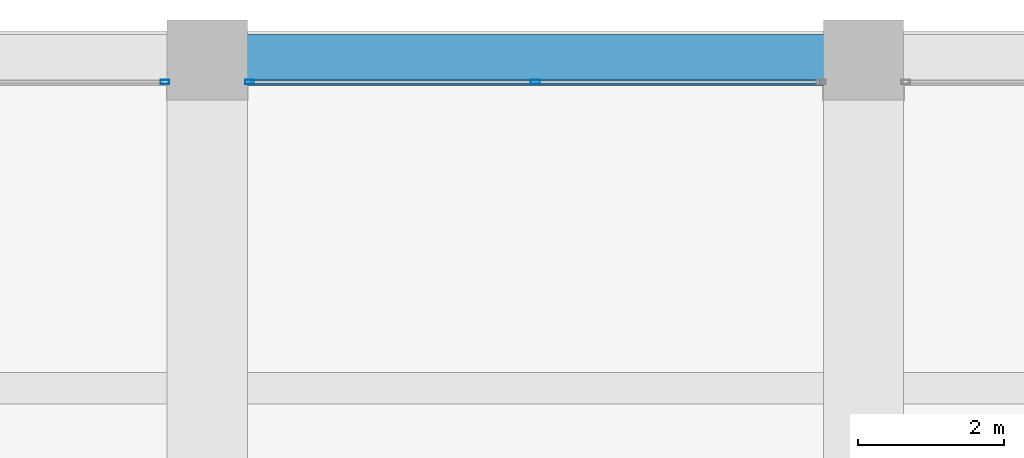
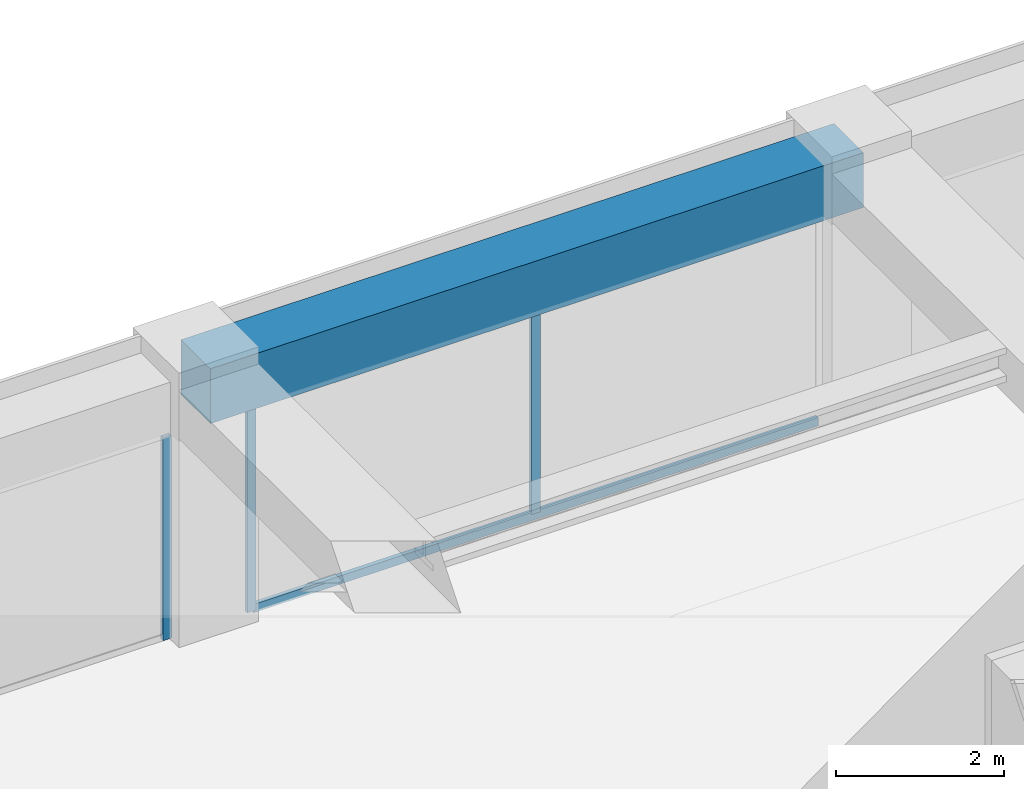
# One storey, part 33 of 44: 4 members, 1 beam, 2 elements without a shape of their own.
"""IFC4 building model written with IfcOpenShell, lengths in metres."""

from ifc_helpers import new_model, si_unit, direction, frame, origin, origin_2d, place, context, subcontext, project, spatial, rectangle, hollow_rectangle, extrude, material, material_profile, profile_set, type_object, element, aggregate, save


model = new_model("IFC4")

# Units and contexts
model_context = context("Model", 3, precision=1e-05, world=origin(), true_north=direction((0.0, 1.0)))
body_context = subcontext(model_context, "Body", "Model", "MODEL_VIEW")
ifc_project = project(units=[si_unit("LENGTHUNIT", "METRE"), si_unit("AREAUNIT", "SQUARE_METRE"), si_unit("VOLUMEUNIT", "CUBIC_METRE"), si_unit("PLANEANGLEUNIT", "RADIAN"), si_unit("MASSUNIT", "GRAM", prefix="KILO")], contexts=[model_context])

# Site, building, storey
site_placement = place(None, origin())
site = spatial("IfcSite", under=ifc_project, at=site_placement, CompositionType="ELEMENT")
building_placement = place(site_placement, origin())
building = spatial("IfcBuilding", under=site, at=building_placement, Name="Zorevar Civic Tower", CompositionType="ELEMENT")
storey_placement = place(building_placement, frame((0.0, 0.0, 287.39990234375)))
storey = spatial("IfcBuildingStorey", under=building, at=storey_placement, Name="L70", CompositionType="ELEMENT", Elevation=287.39990234375)

# Curtain wall, member
ifc_material_1 = material(Name="Dark grey solar-control glass in black aluminium frame", Category="aluminium")
curtain_wall_type = type_object("IfcCurtainWallType", Name="Curtain wall CW5 top zone", PredefinedType="NOTDEFINED", material=ifc_material_1)
curtain_wall_1_placement = place(storey_placement, origin())
curtain_wall_1 = element("IfcCurtainWall", 1, at=curtain_wall_1_placement, inside=storey, type_object=curtain_wall_type, Name="CW5 L70", PredefinedType="NOTDEFINED")
ifc_material_2 = material(Name="Aluminium, black anodised", Category="aluminium")
ifc_material_profile_1 = material_profile(ifc_material_2, hollow_rectangle(XDim=0.06005859375, YDim=0.1201171875, WallThickness=0.0029296875, at=origin_2d()), Name="AL 120x60x3")
ifc_profile_set_1 = profile_set([ifc_material_profile_1], Name="Aluminium, black anodised")
member_type_1 = type_object("IfcMemberType", Name="CW5 mullion AL 120x60x3", PredefinedType="MULLION", material=ifc_profile_set_1)
member_1_placement = place(storey_placement, frame((26.419921875, 44.699951171875, 0.0), z_axis=(0.0, 0.0, 1.0), x_axis=(0.0, 1.0, 0.0)))
member_1 = element("IfcMember", 2, at=member_1_placement, type_object=member_type_1, Name="CW5 mullion 3", PredefinedType="MULLION", context=body_context, shape_type="SweptSolid", body=[
    extrude(hollow_rectangle(XDim=0.06005859375, YDim=0.1201171875, WallThickness=0.0029296875, at=origin_2d()), origin(), (0.0, 0.0, 1.0), 2.9501953125),
])
aggregate(curtain_wall_1, [member_1])

# Curtain wall, members
curtain_wall_2_placement = place(storey_placement, origin())
curtain_wall_2 = element("IfcCurtainWall", 3, at=curtain_wall_2_placement, inside=storey, type_object=curtain_wall_type, Name="CW5 L70", PredefinedType="NOTDEFINED")
member_2_placement = place(storey_placement, frame((27.580078125, 44.699951171875, 0.0), z_axis=(0.0, 0.0, 1.0), x_axis=(0.0, 1.0, 0.0)))
member_2 = element("IfcMember", 4, at=member_2_placement, type_object=member_type_1, Name="CW5 mullion 1", PredefinedType="MULLION", context=body_context, shape_type="SweptSolid", body=[
    extrude(hollow_rectangle(XDim=0.06005859375, YDim=0.1201171875, WallThickness=0.0029296875, at=origin_2d()), origin(), (0.0, 0.0, 1.0), 2.9501953125),
])
member_3_placement = place(storey_placement, frame((31.5, 44.699951171875, 0.06005859375), z_axis=(0.0, 0.0, 1.0), x_axis=(0.0, 1.0, 0.0)))
member_3 = element("IfcMember", 5, at=member_3_placement, type_object=member_type_1, Name="CW5 mullion 2", PredefinedType="MULLION", context=body_context, shape_type="SweptSolid", body=[
    extrude(hollow_rectangle(XDim=0.06005859375, YDim=0.1201171875, WallThickness=0.0029296875, at=origin_2d()), origin(), (0.0, 0.0, 1.0), 2.89013671875),
])
ifc_material_3 = material(Name="Aluminium, black anodised", Category="aluminium")
ifc_material_profile_2 = material_profile(ifc_material_3, hollow_rectangle(XDim=0.06005859375, YDim=0.1201171875, WallThickness=0.0029296875, at=origin_2d()), Name="AL 120x60x3")
ifc_profile_set_2 = profile_set([ifc_material_profile_2], Name="Aluminium, black anodised")
member_type_2 = type_object("IfcMemberType", Name="CW5 transom AL 120x60x3", PredefinedType="USERDEFINED", material=ifc_profile_set_2)
member_4_placement = place(storey_placement, frame((27.610107421875, 44.699951171875, 0.030029296875), z_axis=(1.0, 0.0, 0.0), x_axis=(0.0, 1.0, 0.0)))
member_4 = element("IfcMember", 6, at=member_4_placement, type_object=member_type_2, Name="CW5 sill transom", ObjectType="TRANSOM", PredefinedType="USERDEFINED", context=body_context, shape_type="SweptSolid", body=[
    extrude(hollow_rectangle(XDim=0.06005859375, YDim=0.1201171875, WallThickness=0.0029296875, at=origin_2d()), origin(), (0.0, 0.0, 1.0), 7.77978515625),
])
aggregate(curtain_wall_2, [member_2, member_3, member_4])

# Beam
ifc_material_4 = material(Name="Concrete C50/60", Category="concrete")
ifc_material_profile_3 = material_profile(ifc_material_4, rectangle(XDim=0.699951171875, YDim=0.800048828125, at=origin_2d()), Name="RC 700x800")
ifc_profile_set_3 = profile_set([ifc_material_profile_3], Name="Concrete C50/60")
beam_type = type_object("IfcBeamType", Name="Edge beam RC 700x800", PredefinedType="SPANDREL", material=ifc_profile_set_3)
beam_placement = place(storey_placement, frame((27.0, 45.0, 3.35009765625), z_axis=(1.0, 0.0, 0.0), x_axis=(0.0, 1.0, 0.0)))
element("IfcBeam", 7, at=beam_placement, inside=storey, type_object=beam_type, Name="Edge beam L71", PredefinedType="SPANDREL", context=body_context, shape_type="SweptSolid", body=[
    extrude(rectangle(XDim=0.699951171875, YDim=0.800048828125, at=origin_2d()), origin(), (0.0, 0.0, 1.0), 9.0),
])

save(model, "model.ifc")
